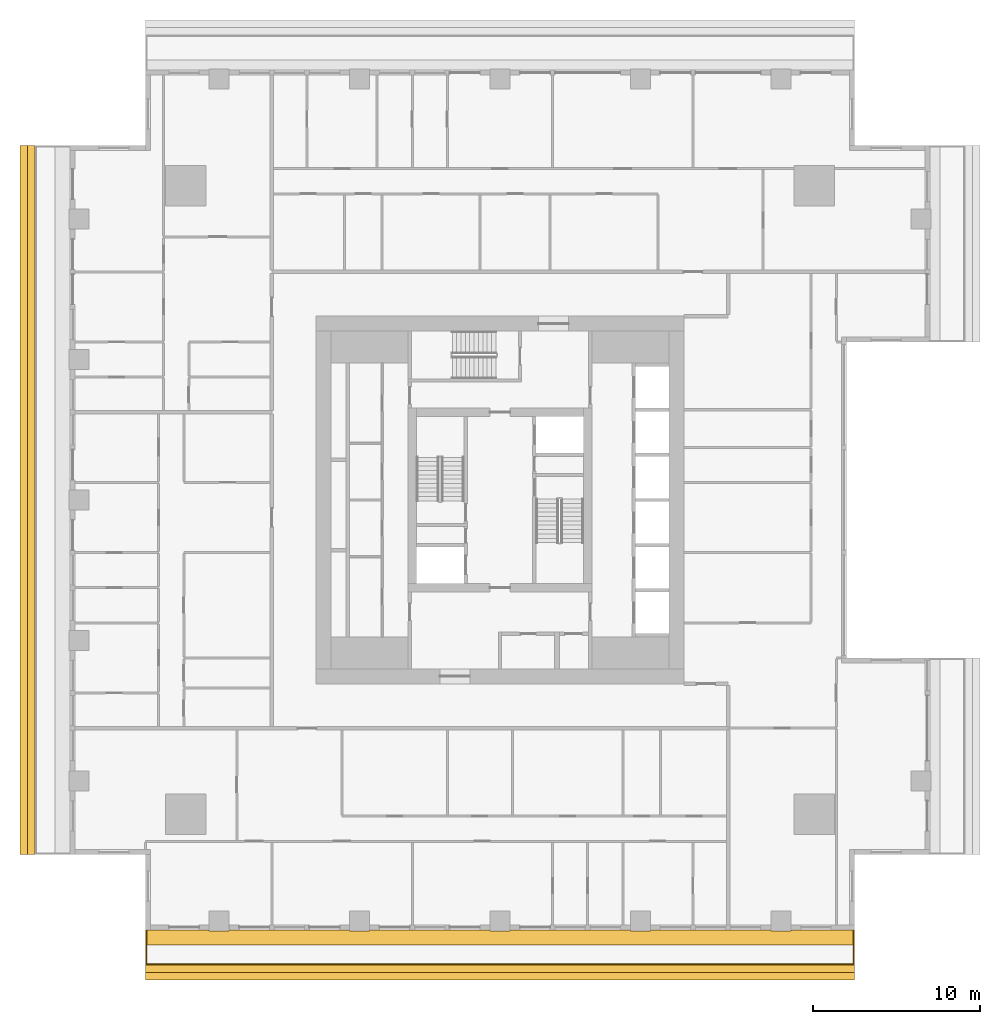
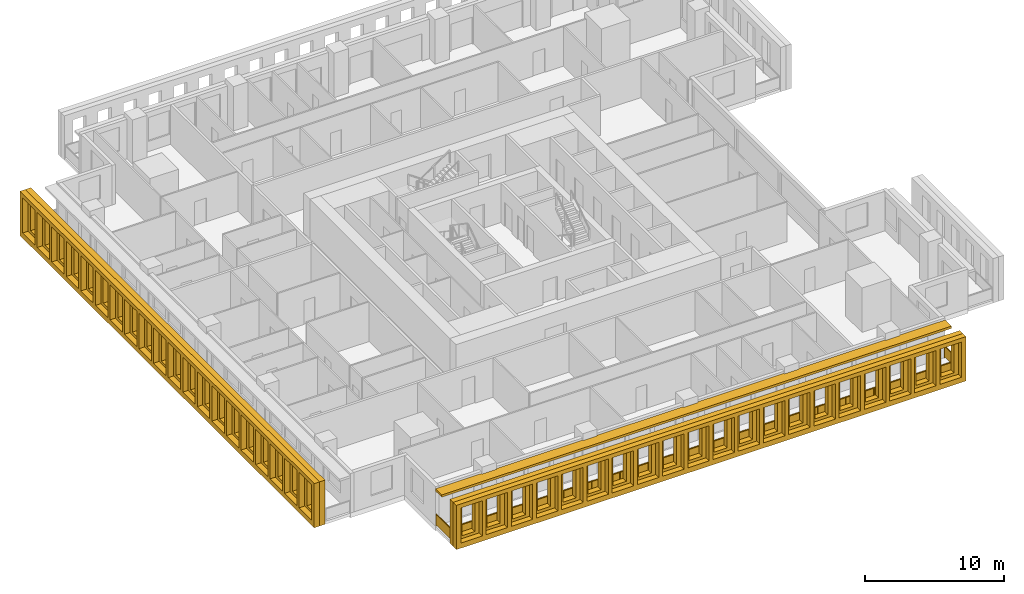
# One storey, part 10 of 15: 5 shading devices, 1 railing.
"""IFC4 building model written with IfcOpenShell, lengths in metres."""

from ifc_helpers import new_model, si_unit, direction, frame, origin, origin_2d, place, context, subcontext, project, spatial, polyline, rectangle, outline, extrude, material, layer, layer_set, type_object, element, save


model = new_model("IFC4")

# Units and contexts
model_context = context("Model", 3, precision=1e-05, world=origin(), true_north=direction((0.0, 1.0)))
body_context = subcontext(model_context, "Body", "Model", "MODEL_VIEW")
ifc_project = project(units=[si_unit("LENGTHUNIT", "METRE"), si_unit("AREAUNIT", "SQUARE_METRE"), si_unit("VOLUMEUNIT", "CUBIC_METRE"), si_unit("PLANEANGLEUNIT", "RADIAN"), si_unit("MASSUNIT", "GRAM", prefix="KILO")], contexts=[model_context])

# Site, building, storey
site_placement = place(None, origin())
site = spatial("IfcSite", under=ifc_project, at=site_placement, CompositionType="ELEMENT")
building_placement = place(site_placement, origin())
building = spatial("IfcBuilding", under=site, at=building_placement, Name="Khepri Terraces", CompositionType="ELEMENT")
storey_placement = place(building_placement, frame((0.0, 0.0, 215.699951171875)))
storey = spatial("IfcBuildingStorey", under=building, at=storey_placement, Name="L51", CompositionType="ELEMENT", Elevation=215.699951171875)

# Railing
ifc_material_1 = material(Name="Stainless steel grade 316", Category="steel")
railing_type = type_object("IfcRailingType", Name="GRD-BAL-1100", PredefinedType="GUARDRAIL", material=ifc_material_1)
railing_placement = place(storey_placement, frame((-21.169921875, -25.719970703125, 0.0)))
element("IfcRailing", 1, at=railing_placement, inside=storey, type_object=railing_type, Name="Balcony guard L51 S", PredefinedType="GUARDRAIL", context=body_context, shape_type="SweptSolid", body=[
    extrude(rectangle(XDim=0.050048828125, YDim=0.06005859375, at=origin_2d()), frame((0.0, 0.0, 1.070068359375), z_axis=(0.0, -1.0, 0.0), x_axis=(1.0, 0.0, 0.0)), (0.0, 0.0, 1.0), 2.050048828125),
    extrude(rectangle(XDim=2.0, YDim=0.011962890625, at=origin_2d()), frame((0.0, -1.02490234375, 0.10009765625), z_axis=(0.0, 0.0, 1.0), x_axis=(0.0, -1.0, 0.0)), (0.0, 0.0, 1.0), 0.93994140625),
    extrude(rectangle(XDim=0.050048828125, YDim=0.06005859375, at=origin_2d()), frame((0.0, -2.050048828125, 1.070068359375), z_axis=(1.0, 0.0, 0.0), x_axis=(0.0, 1.0, 0.0)), (0.0, 0.0, 1.0), 42.33984375),
    extrude(rectangle(XDim=2.30224609375, YDim=0.011962890625, at=origin_2d()), frame((1.176025390625, -2.050048828125, 0.10009765625), z_axis=(0.0, 0.0, 1.0), x_axis=(1.0, 0.0, 0.0)), (0.0, 0.0, 1.0), 0.93994140625),
    extrude(rectangle(XDim=2.30224609375, YDim=0.011962890625, at=origin_2d()), frame((3.5283203125, -2.050048828125, 0.10009765625), z_axis=(0.0, 0.0, 1.0), x_axis=(1.0, 0.0, 0.0)), (0.0, 0.0, 1.0), 0.93994140625),
    extrude(rectangle(XDim=2.30224609375, YDim=0.011962890625, at=origin_2d()), frame((5.880615234375, -2.050048828125, 0.10009765625), z_axis=(0.0, 0.0, 1.0), x_axis=(1.0, 0.0, 0.0)), (0.0, 0.0, 1.0), 0.93994140625),
    extrude(rectangle(XDim=2.30224609375, YDim=0.011962890625, at=origin_2d()), frame((8.232666015625, -2.050048828125, 0.10009765625), z_axis=(0.0, 0.0, 1.0), x_axis=(1.0, 0.0, 0.0)), (0.0, 0.0, 1.0), 0.93994140625),
    extrude(rectangle(XDim=2.30224609375, YDim=0.011962890625, at=origin_2d()), frame((10.5849609375, -2.050048828125, 0.10009765625), z_axis=(0.0, 0.0, 1.0), x_axis=(1.0, 0.0, 0.0)), (0.0, 0.0, 1.0), 0.93994140625),
    extrude(rectangle(XDim=2.30224609375, YDim=0.011962890625, at=origin_2d()), frame((12.937255859375, -2.050048828125, 0.10009765625), z_axis=(0.0, 0.0, 1.0), x_axis=(1.0, 0.0, 0.0)), (0.0, 0.0, 1.0), 0.93994140625),
    extrude(rectangle(XDim=2.30224609375, YDim=0.011962890625, at=origin_2d()), frame((15.289306640625, -2.050048828125, 0.10009765625), z_axis=(0.0, 0.0, 1.0), x_axis=(1.0, 0.0, 0.0)), (0.0, 0.0, 1.0), 0.93994140625),
    extrude(rectangle(XDim=2.30224609375, YDim=0.011962890625, at=origin_2d()), frame((17.6416015625, -2.050048828125, 0.10009765625), z_axis=(0.0, 0.0, 1.0), x_axis=(1.0, 0.0, 0.0)), (0.0, 0.0, 1.0), 0.93994140625),
    extrude(rectangle(XDim=2.30224609375, YDim=0.011962890625, at=origin_2d()), frame((19.993896484375, -2.050048828125, 0.10009765625), z_axis=(0.0, 0.0, 1.0), x_axis=(1.0, 0.0, 0.0)), (0.0, 0.0, 1.0), 0.93994140625),
    extrude(rectangle(XDim=2.30224609375, YDim=0.011962890625, at=origin_2d()), frame((22.345947265625, -2.050048828125, 0.10009765625), z_axis=(0.0, 0.0, 1.0), x_axis=(1.0, 0.0, 0.0)), (0.0, 0.0, 1.0), 0.93994140625),
    extrude(rectangle(XDim=2.30224609375, YDim=0.011962890625, at=origin_2d()), frame((24.6982421875, -2.050048828125, 0.10009765625), z_axis=(0.0, 0.0, 1.0), x_axis=(1.0, 0.0, 0.0)), (0.0, 0.0, 1.0), 0.93994140625),
    extrude(rectangle(XDim=2.30224609375, YDim=0.011962890625, at=origin_2d()), frame((27.050537109375, -2.050048828125, 0.10009765625), z_axis=(0.0, 0.0, 1.0), x_axis=(1.0, 0.0, 0.0)), (0.0, 0.0, 1.0), 0.93994140625),
    extrude(rectangle(XDim=2.30224609375, YDim=0.011962890625, at=origin_2d()), frame((29.402587890625, -2.050048828125, 0.10009765625), z_axis=(0.0, 0.0, 1.0), x_axis=(1.0, 0.0, 0.0)), (0.0, 0.0, 1.0), 0.93994140625),
    extrude(rectangle(XDim=2.30224609375, YDim=0.011962890625, at=origin_2d()), frame((31.7548828125, -2.050048828125, 0.10009765625), z_axis=(0.0, 0.0, 1.0), x_axis=(1.0, 0.0, 0.0)), (0.0, 0.0, 1.0), 0.93994140625),
    extrude(rectangle(XDim=2.30224609375, YDim=0.011962890625, at=origin_2d()), frame((34.107177734375, -2.050048828125, 0.10009765625), z_axis=(0.0, 0.0, 1.0), x_axis=(1.0, 0.0, 0.0)), (0.0, 0.0, 1.0), 0.93994140625),
    extrude(rectangle(XDim=2.30224609375, YDim=0.011962890625, at=origin_2d()), frame((36.459228515625, -2.050048828125, 0.10009765625), z_axis=(0.0, 0.0, 1.0), x_axis=(1.0, 0.0, 0.0)), (0.0, 0.0, 1.0), 0.93994140625),
    extrude(rectangle(XDim=2.30224609375, YDim=0.011962890625, at=origin_2d()), frame((38.8115234375, -2.050048828125, 0.10009765625), z_axis=(0.0, 0.0, 1.0), x_axis=(1.0, 0.0, 0.0)), (0.0, 0.0, 1.0), 0.93994140625),
    extrude(rectangle(XDim=2.30224609375, YDim=0.011962890625, at=origin_2d()), frame((41.163818359375, -2.050048828125, 0.10009765625), z_axis=(0.0, 0.0, 1.0), x_axis=(1.0, 0.0, 0.0)), (0.0, 0.0, 1.0), 0.93994140625),
    extrude(rectangle(XDim=0.050048828125, YDim=0.06005859375, at=origin_2d()), frame((42.33984375, -2.050048828125, 1.070068359375), z_axis=(0.0, 1.0, 0.0), x_axis=(-1.0, 0.0, 0.0)), (0.0, 0.0, 1.0), 2.050048828125),
    extrude(rectangle(XDim=2.0, YDim=0.011962890625, at=origin_2d()), frame((42.33984375, -1.02490234375, 0.10009765625), z_axis=(0.0, 0.0, 1.0), x_axis=(0.0, 1.0, 0.0)), (0.0, 0.0, 1.0), 0.93994140625),
    extrude(rectangle(XDim=0.050048828125, YDim=0.050048828125, at=origin_2d()), origin(), (0.0, 0.0, 1.0), 1.0400390625),
    extrude(rectangle(XDim=0.050048828125, YDim=0.050048828125, at=origin_2d()), frame((0.0, -2.050048828125, 0.0)), (0.0, 0.0, 1.0), 1.0400390625),
    extrude(rectangle(XDim=0.050048828125, YDim=0.050048828125, at=origin_2d()), frame((2.352294921875, -2.050048828125, 0.0)), (0.0, 0.0, 1.0), 1.0400390625),
    extrude(rectangle(XDim=0.050048828125, YDim=0.050048828125, at=origin_2d()), frame((4.704345703125, -2.050048828125, 0.0)), (0.0, 0.0, 1.0), 1.0400390625),
    extrude(rectangle(XDim=0.050048828125, YDim=0.050048828125, at=origin_2d()), frame((7.056640625, -2.050048828125, 0.0)), (0.0, 0.0, 1.0), 1.0400390625),
    extrude(rectangle(XDim=0.050048828125, YDim=0.050048828125, at=origin_2d()), frame((9.408935546875, -2.050048828125, 0.0)), (0.0, 0.0, 1.0), 1.0400390625),
    extrude(rectangle(XDim=0.050048828125, YDim=0.050048828125, at=origin_2d()), frame((11.760986328125, -2.050048828125, 0.0)), (0.0, 0.0, 1.0), 1.0400390625),
    extrude(rectangle(XDim=0.050048828125, YDim=0.050048828125, at=origin_2d()), frame((14.11328125, -2.050048828125, 0.0)), (0.0, 0.0, 1.0), 1.0400390625),
    extrude(rectangle(XDim=0.050048828125, YDim=0.050048828125, at=origin_2d()), frame((16.465576171875, -2.050048828125, 0.0)), (0.0, 0.0, 1.0), 1.0400390625),
    extrude(rectangle(XDim=0.050048828125, YDim=0.050048828125, at=origin_2d()), frame((18.817626953125, -2.050048828125, 0.0)), (0.0, 0.0, 1.0), 1.0400390625),
    extrude(rectangle(XDim=0.050048828125, YDim=0.050048828125, at=origin_2d()), frame((21.169921875, -2.050048828125, 0.0)), (0.0, 0.0, 1.0), 1.0400390625),
    extrude(rectangle(XDim=0.050048828125, YDim=0.050048828125, at=origin_2d()), frame((23.522216796875, -2.050048828125, 0.0)), (0.0, 0.0, 1.0), 1.0400390625),
    extrude(rectangle(XDim=0.050048828125, YDim=0.050048828125, at=origin_2d()), frame((25.874267578125, -2.050048828125, 0.0)), (0.0, 0.0, 1.0), 1.0400390625),
    extrude(rectangle(XDim=0.050048828125, YDim=0.050048828125, at=origin_2d()), frame((28.2265625, -2.050048828125, 0.0)), (0.0, 0.0, 1.0), 1.0400390625),
    extrude(rectangle(XDim=0.050048828125, YDim=0.050048828125, at=origin_2d()), frame((30.578857421875, -2.050048828125, 0.0)), (0.0, 0.0, 1.0), 1.0400390625),
    extrude(rectangle(XDim=0.050048828125, YDim=0.050048828125, at=origin_2d()), frame((32.930908203125, -2.050048828125, 0.0)), (0.0, 0.0, 1.0), 1.0400390625),
    extrude(rectangle(XDim=0.050048828125, YDim=0.050048828125, at=origin_2d()), frame((35.283203125, -2.050048828125, 0.0)), (0.0, 0.0, 1.0), 1.0400390625),
    extrude(rectangle(XDim=0.050048828125, YDim=0.050048828125, at=origin_2d()), frame((37.635498046875, -2.050048828125, 0.0)), (0.0, 0.0, 1.0), 1.0400390625),
    extrude(rectangle(XDim=0.050048828125, YDim=0.050048828125, at=origin_2d()), frame((39.987548828125, -2.050048828125, 0.0)), (0.0, 0.0, 1.0), 1.0400390625),
    extrude(rectangle(XDim=0.050048828125, YDim=0.050048828125, at=origin_2d()), frame((42.33984375, -2.050048828125, 0.0)), (0.0, 0.0, 1.0), 1.0400390625),
    extrude(rectangle(XDim=0.050048828125, YDim=0.050048828125, at=origin_2d()), frame((42.33984375, 0.0, 0.0)), (0.0, 0.0, 1.0), 1.0400390625),
])

# Shading devices
ifc_material_2 = material(Name="Precast concrete C50/60 warm stone", Category="masonry")
shading_device_type_1 = type_object("IfcShadingDeviceType", Name="SCR-CELL-INNER-450", PredefinedType="USERDEFINED", material=ifc_material_2)
shading_device_1_placement = place(storey_placement, frame((-21.219970703125, -27.820068359375, -0.25), z_axis=(0.0, -1.0, 0.0), x_axis=(1.0, 0.0, 0.0)))
element("IfcShadingDevice", 2, at=shading_device_1_placement, inside=storey, type_object=shading_device_type_1, Name="Cell screen L51 S in", ObjectType="SCREEN", PredefinedType="USERDEFINED", context=body_context, shape_type="SweptSolid", body=[
    extrude(outline(polyline([(0.0, 0.0), (42.43994140625, 0.0), (42.43994140625, 3.89990234375), (0.0, 3.89990234375), (0.0, 0.0)]), holes=[polyline([(0.7265625, 0.699951171875), (1.8134765625, 0.699951171875), (1.8134765625, 3.300048828125), (0.7265625, 3.300048828125), (0.7265625, 0.699951171875)]), polyline([(2.82666015625, 0.699951171875), (3.913330078125, 0.699951171875), (3.913330078125, 3.300048828125), (2.82666015625, 3.300048828125), (2.82666015625, 0.699951171875)]), polyline([(4.926513671875, 0.699951171875), (6.013427734375, 0.699951171875), (6.013427734375, 3.300048828125), (4.926513671875, 3.300048828125), (4.926513671875, 0.699951171875)]), polyline([(7.026611328125, 0.699951171875), (8.11328125, 0.699951171875), (8.11328125, 3.300048828125), (7.026611328125, 3.300048828125), (7.026611328125, 0.699951171875)]), polyline([(9.126708984375, 0.699951171875), (10.21337890625, 0.699951171875), (10.21337890625, 3.300048828125), (9.126708984375, 3.300048828125), (9.126708984375, 0.699951171875)]), polyline([(11.2265625, 0.699951171875), (12.3134765625, 0.699951171875), (12.3134765625, 3.300048828125), (11.2265625, 3.300048828125), (11.2265625, 0.699951171875)]), polyline([(13.32666015625, 0.699951171875), (14.413330078125, 0.699951171875), (14.413330078125, 3.300048828125), (13.32666015625, 3.300048828125), (13.32666015625, 0.699951171875)]), polyline([(15.426513671875, 0.699951171875), (16.513427734375, 0.699951171875), (16.513427734375, 3.300048828125), (15.426513671875, 3.300048828125), (15.426513671875, 0.699951171875)]), polyline([(17.526611328125, 0.699951171875), (18.61328125, 0.699951171875), (18.61328125, 3.300048828125), (17.526611328125, 3.300048828125), (17.526611328125, 0.699951171875)]), polyline([(19.626708984375, 0.699951171875), (20.71337890625, 0.699951171875), (20.71337890625, 3.300048828125), (19.626708984375, 3.300048828125), (19.626708984375, 0.699951171875)]), polyline([(21.7265625, 0.699951171875), (22.8134765625, 0.699951171875), (22.8134765625, 3.300048828125), (21.7265625, 3.300048828125), (21.7265625, 0.699951171875)]), polyline([(23.82666015625, 0.699951171875), (24.913330078125, 0.699951171875), (24.913330078125, 3.300048828125), (23.82666015625, 3.300048828125), (23.82666015625, 0.699951171875)]), polyline([(25.926513671875, 0.699951171875), (27.013427734375, 0.699951171875), (27.013427734375, 3.300048828125), (25.926513671875, 3.300048828125), (25.926513671875, 0.699951171875)]), polyline([(28.026611328125, 0.699951171875), (29.11328125, 0.699951171875), (29.11328125, 3.300048828125), (28.026611328125, 3.300048828125), (28.026611328125, 0.699951171875)]), polyline([(30.126708984375, 0.699951171875), (31.21337890625, 0.699951171875), (31.21337890625, 3.300048828125), (30.126708984375, 3.300048828125), (30.126708984375, 0.699951171875)]), polyline([(32.2265625, 0.699951171875), (33.3134765625, 0.699951171875), (33.3134765625, 3.300048828125), (32.2265625, 3.300048828125), (32.2265625, 0.699951171875)]), polyline([(34.32666015625, 0.699951171875), (35.413330078125, 0.699951171875), (35.413330078125, 3.300048828125), (34.32666015625, 3.300048828125), (34.32666015625, 0.699951171875)]), polyline([(36.426513671875, 0.699951171875), (37.513427734375, 0.699951171875), (37.513427734375, 3.300048828125), (36.426513671875, 3.300048828125), (36.426513671875, 0.699951171875)]), polyline([(38.526611328125, 0.699951171875), (39.61328125, 0.699951171875), (39.61328125, 3.300048828125), (38.526611328125, 3.300048828125), (38.526611328125, 0.699951171875)]), polyline([(40.626708984375, 0.699951171875), (41.71337890625, 0.699951171875), (41.71337890625, 3.300048828125), (40.626708984375, 3.300048828125), (40.626708984375, 0.699951171875)])]), origin(), (0.0, 0.0, 1.0), 0.449951171875),
])
shading_device_2_placement = place(storey_placement, frame((-27.820068359375, 21.219970703125, -0.25), z_axis=(-1.0, 0.0, 0.0), x_axis=(0.0, -1.0, 0.0)))
element("IfcShadingDevice", 3, at=shading_device_2_placement, inside=storey, type_object=shading_device_type_1, Name="Cell screen L51 W in", ObjectType="SCREEN", PredefinedType="USERDEFINED", context=body_context, shape_type="SweptSolid", body=[
    extrude(outline(polyline([(0.0, 0.0), (42.43994140625, 0.0), (42.43994140625, 3.89990234375), (0.0, 3.89990234375), (0.0, 0.0)]), holes=[polyline([(0.7265625, 0.699951171875), (1.8134765625, 0.699951171875), (1.8134765625, 3.300048828125), (0.7265625, 3.300048828125), (0.7265625, 0.699951171875)]), polyline([(2.82666015625, 0.699951171875), (3.913330078125, 0.699951171875), (3.913330078125, 3.300048828125), (2.82666015625, 3.300048828125), (2.82666015625, 0.699951171875)]), polyline([(4.926513671875, 0.699951171875), (6.013427734375, 0.699951171875), (6.013427734375, 3.300048828125), (4.926513671875, 3.300048828125), (4.926513671875, 0.699951171875)]), polyline([(7.026611328125, 0.699951171875), (8.11328125, 0.699951171875), (8.11328125, 3.300048828125), (7.026611328125, 3.300048828125), (7.026611328125, 0.699951171875)]), polyline([(9.126708984375, 0.699951171875), (10.21337890625, 0.699951171875), (10.21337890625, 3.300048828125), (9.126708984375, 3.300048828125), (9.126708984375, 0.699951171875)]), polyline([(11.2265625, 0.699951171875), (12.3134765625, 0.699951171875), (12.3134765625, 3.300048828125), (11.2265625, 3.300048828125), (11.2265625, 0.699951171875)]), polyline([(13.32666015625, 0.699951171875), (14.413330078125, 0.699951171875), (14.413330078125, 3.300048828125), (13.32666015625, 3.300048828125), (13.32666015625, 0.699951171875)]), polyline([(15.426513671875, 0.699951171875), (16.513427734375, 0.699951171875), (16.513427734375, 3.300048828125), (15.426513671875, 3.300048828125), (15.426513671875, 0.699951171875)]), polyline([(17.526611328125, 0.699951171875), (18.61328125, 0.699951171875), (18.61328125, 3.300048828125), (17.526611328125, 3.300048828125), (17.526611328125, 0.699951171875)]), polyline([(19.626708984375, 0.699951171875), (20.71337890625, 0.699951171875), (20.71337890625, 3.300048828125), (19.626708984375, 3.300048828125), (19.626708984375, 0.699951171875)]), polyline([(21.7265625, 0.699951171875), (22.8134765625, 0.699951171875), (22.8134765625, 3.300048828125), (21.7265625, 3.300048828125), (21.7265625, 0.699951171875)]), polyline([(23.82666015625, 0.699951171875), (24.913330078125, 0.699951171875), (24.913330078125, 3.300048828125), (23.82666015625, 3.300048828125), (23.82666015625, 0.699951171875)]), polyline([(25.926513671875, 0.699951171875), (27.013427734375, 0.699951171875), (27.013427734375, 3.300048828125), (25.926513671875, 3.300048828125), (25.926513671875, 0.699951171875)]), polyline([(28.026611328125, 0.699951171875), (29.11328125, 0.699951171875), (29.11328125, 3.300048828125), (28.026611328125, 3.300048828125), (28.026611328125, 0.699951171875)]), polyline([(30.126708984375, 0.699951171875), (31.21337890625, 0.699951171875), (31.21337890625, 3.300048828125), (30.126708984375, 3.300048828125), (30.126708984375, 0.699951171875)]), polyline([(32.2265625, 0.699951171875), (33.3134765625, 0.699951171875), (33.3134765625, 3.300048828125), (32.2265625, 3.300048828125), (32.2265625, 0.699951171875)]), polyline([(34.32666015625, 0.699951171875), (35.413330078125, 0.699951171875), (35.413330078125, 3.300048828125), (34.32666015625, 3.300048828125), (34.32666015625, 0.699951171875)]), polyline([(36.426513671875, 0.699951171875), (37.513427734375, 0.699951171875), (37.513427734375, 3.300048828125), (36.426513671875, 3.300048828125), (36.426513671875, 0.699951171875)]), polyline([(38.526611328125, 0.699951171875), (39.61328125, 0.699951171875), (39.61328125, 3.300048828125), (38.526611328125, 3.300048828125), (38.526611328125, 0.699951171875)]), polyline([(40.626708984375, 0.699951171875), (41.71337890625, 0.699951171875), (41.71337890625, 3.300048828125), (40.626708984375, 3.300048828125), (40.626708984375, 0.699951171875)])]), origin(), (0.0, 0.0, 1.0), 0.449951171875),
])
shading_device_type_2 = type_object("IfcShadingDeviceType", Name="SCR-CELL-OUTER-450", PredefinedType="USERDEFINED", material=ifc_material_2)
shading_device_3_placement = place(storey_placement, frame((-21.219970703125, -28.27001953125, -0.25), z_axis=(0.0, -1.0, 0.0), x_axis=(1.0, 0.0, 0.0)))
element("IfcShadingDevice", 4, at=shading_device_3_placement, inside=storey, type_object=shading_device_type_2, Name="Cell screen L51 S out", ObjectType="SCREEN", PredefinedType="USERDEFINED", context=body_context, shape_type="SweptSolid", body=[
    extrude(outline(polyline([(0.0, 0.0), (42.43994140625, 0.0), (42.43994140625, 3.89990234375), (0.0, 3.89990234375), (0.0, 0.0)]), holes=[polyline([(0.376708984375, 0.449951171875), (2.163330078125, 0.449951171875), (2.163330078125, 3.550048828125), (0.376708984375, 3.550048828125), (0.376708984375, 0.449951171875)]), polyline([(2.4765625, 0.449951171875), (4.263427734375, 0.449951171875), (4.263427734375, 3.550048828125), (2.4765625, 3.550048828125), (2.4765625, 0.449951171875)]), polyline([(4.57666015625, 0.449951171875), (6.36328125, 0.449951171875), (6.36328125, 3.550048828125), (4.57666015625, 3.550048828125), (4.57666015625, 0.449951171875)]), polyline([(6.676513671875, 0.449951171875), (8.46337890625, 0.449951171875), (8.46337890625, 3.550048828125), (6.676513671875, 3.550048828125), (6.676513671875, 0.449951171875)]), polyline([(8.776611328125, 0.449951171875), (10.5634765625, 0.449951171875), (10.5634765625, 3.550048828125), (8.776611328125, 3.550048828125), (8.776611328125, 0.449951171875)]), polyline([(10.876708984375, 0.449951171875), (12.663330078125, 0.449951171875), (12.663330078125, 3.550048828125), (10.876708984375, 3.550048828125), (10.876708984375, 0.449951171875)]), polyline([(12.9765625, 0.449951171875), (14.763427734375, 0.449951171875), (14.763427734375, 3.550048828125), (12.9765625, 3.550048828125), (12.9765625, 0.449951171875)]), polyline([(15.07666015625, 0.449951171875), (16.86328125, 0.449951171875), (16.86328125, 3.550048828125), (15.07666015625, 3.550048828125), (15.07666015625, 0.449951171875)]), polyline([(17.176513671875, 0.449951171875), (18.96337890625, 0.449951171875), (18.96337890625, 3.550048828125), (17.176513671875, 3.550048828125), (17.176513671875, 0.449951171875)]), polyline([(19.276611328125, 0.449951171875), (21.0634765625, 0.449951171875), (21.0634765625, 3.550048828125), (19.276611328125, 3.550048828125), (19.276611328125, 0.449951171875)]), polyline([(21.376708984375, 0.449951171875), (23.163330078125, 0.449951171875), (23.163330078125, 3.550048828125), (21.376708984375, 3.550048828125), (21.376708984375, 0.449951171875)]), polyline([(23.4765625, 0.449951171875), (25.263427734375, 0.449951171875), (25.263427734375, 3.550048828125), (23.4765625, 3.550048828125), (23.4765625, 0.449951171875)]), polyline([(25.57666015625, 0.449951171875), (27.36328125, 0.449951171875), (27.36328125, 3.550048828125), (25.57666015625, 3.550048828125), (25.57666015625, 0.449951171875)]), polyline([(27.676513671875, 0.449951171875), (29.46337890625, 0.449951171875), (29.46337890625, 3.550048828125), (27.676513671875, 3.550048828125), (27.676513671875, 0.449951171875)]), polyline([(29.776611328125, 0.449951171875), (31.5634765625, 0.449951171875), (31.5634765625, 3.550048828125), (29.776611328125, 3.550048828125), (29.776611328125, 0.449951171875)]), polyline([(31.876708984375, 0.449951171875), (33.663330078125, 0.449951171875), (33.663330078125, 3.550048828125), (31.876708984375, 3.550048828125), (31.876708984375, 0.449951171875)]), polyline([(33.9765625, 0.449951171875), (35.763427734375, 0.449951171875), (35.763427734375, 3.550048828125), (33.9765625, 3.550048828125), (33.9765625, 0.449951171875)]), polyline([(36.07666015625, 0.449951171875), (37.86328125, 0.449951171875), (37.86328125, 3.550048828125), (36.07666015625, 3.550048828125), (36.07666015625, 0.449951171875)]), polyline([(38.176513671875, 0.449951171875), (39.96337890625, 0.449951171875), (39.96337890625, 3.550048828125), (38.176513671875, 3.550048828125), (38.176513671875, 0.449951171875)]), polyline([(40.276611328125, 0.449951171875), (42.0634765625, 0.449951171875), (42.0634765625, 3.550048828125), (40.276611328125, 3.550048828125), (40.276611328125, 0.449951171875)])]), origin(), (0.0, 0.0, 1.0), 0.449951171875),
])
shading_device_4_placement = place(storey_placement, frame((-28.27001953125, 21.219970703125, -0.25), z_axis=(-1.0, 0.0, 0.0), x_axis=(0.0, -1.0, 0.0)))
element("IfcShadingDevice", 5, at=shading_device_4_placement, inside=storey, type_object=shading_device_type_2, Name="Cell screen L51 W out", ObjectType="SCREEN", PredefinedType="USERDEFINED", context=body_context, shape_type="SweptSolid", body=[
    extrude(outline(polyline([(0.0, 0.0), (42.43994140625, 0.0), (42.43994140625, 3.89990234375), (0.0, 3.89990234375), (0.0, 0.0)]), holes=[polyline([(0.376708984375, 0.449951171875), (2.163330078125, 0.449951171875), (2.163330078125, 3.550048828125), (0.376708984375, 3.550048828125), (0.376708984375, 0.449951171875)]), polyline([(2.4765625, 0.449951171875), (4.263427734375, 0.449951171875), (4.263427734375, 3.550048828125), (2.4765625, 3.550048828125), (2.4765625, 0.449951171875)]), polyline([(4.57666015625, 0.449951171875), (6.36328125, 0.449951171875), (6.36328125, 3.550048828125), (4.57666015625, 3.550048828125), (4.57666015625, 0.449951171875)]), polyline([(6.676513671875, 0.449951171875), (8.46337890625, 0.449951171875), (8.46337890625, 3.550048828125), (6.676513671875, 3.550048828125), (6.676513671875, 0.449951171875)]), polyline([(8.776611328125, 0.449951171875), (10.5634765625, 0.449951171875), (10.5634765625, 3.550048828125), (8.776611328125, 3.550048828125), (8.776611328125, 0.449951171875)]), polyline([(10.876708984375, 0.449951171875), (12.663330078125, 0.449951171875), (12.663330078125, 3.550048828125), (10.876708984375, 3.550048828125), (10.876708984375, 0.449951171875)]), polyline([(12.9765625, 0.449951171875), (14.763427734375, 0.449951171875), (14.763427734375, 3.550048828125), (12.9765625, 3.550048828125), (12.9765625, 0.449951171875)]), polyline([(15.07666015625, 0.449951171875), (16.86328125, 0.449951171875), (16.86328125, 3.550048828125), (15.07666015625, 3.550048828125), (15.07666015625, 0.449951171875)]), polyline([(17.176513671875, 0.449951171875), (18.96337890625, 0.449951171875), (18.96337890625, 3.550048828125), (17.176513671875, 3.550048828125), (17.176513671875, 0.449951171875)]), polyline([(19.276611328125, 0.449951171875), (21.0634765625, 0.449951171875), (21.0634765625, 3.550048828125), (19.276611328125, 3.550048828125), (19.276611328125, 0.449951171875)]), polyline([(21.376708984375, 0.449951171875), (23.163330078125, 0.449951171875), (23.163330078125, 3.550048828125), (21.376708984375, 3.550048828125), (21.376708984375, 0.449951171875)]), polyline([(23.4765625, 0.449951171875), (25.263427734375, 0.449951171875), (25.263427734375, 3.550048828125), (23.4765625, 3.550048828125), (23.4765625, 0.449951171875)]), polyline([(25.57666015625, 0.449951171875), (27.36328125, 0.449951171875), (27.36328125, 3.550048828125), (25.57666015625, 3.550048828125), (25.57666015625, 0.449951171875)]), polyline([(27.676513671875, 0.449951171875), (29.46337890625, 0.449951171875), (29.46337890625, 3.550048828125), (27.676513671875, 3.550048828125), (27.676513671875, 0.449951171875)]), polyline([(29.776611328125, 0.449951171875), (31.5634765625, 0.449951171875), (31.5634765625, 3.550048828125), (29.776611328125, 3.550048828125), (29.776611328125, 0.449951171875)]), polyline([(31.876708984375, 0.449951171875), (33.663330078125, 0.449951171875), (33.663330078125, 3.550048828125), (31.876708984375, 3.550048828125), (31.876708984375, 0.449951171875)]), polyline([(33.9765625, 0.449951171875), (35.763427734375, 0.449951171875), (35.763427734375, 3.550048828125), (33.9765625, 3.550048828125), (33.9765625, 0.449951171875)]), polyline([(36.07666015625, 0.449951171875), (37.86328125, 0.449951171875), (37.86328125, 3.550048828125), (36.07666015625, 3.550048828125), (36.07666015625, 0.449951171875)]), polyline([(38.176513671875, 0.449951171875), (39.96337890625, 0.449951171875), (39.96337890625, 3.550048828125), (38.176513671875, 3.550048828125), (38.176513671875, 0.449951171875)]), polyline([(40.276611328125, 0.449951171875), (42.0634765625, 0.449951171875), (42.0634765625, 3.550048828125), (40.276611328125, 3.550048828125), (40.276611328125, 0.449951171875)])]), origin(), (0.0, 0.0, 1.0), 0.449951171875),
])
ifc_layer = layer(ifc_material_2, 0.199951171875, Name="Precast concrete C50/60 warm stone", Category="masonry")
ifc_layer_set = layer_set([ifc_layer], Name="Precast concrete C50/60 warm stone")
shading_device_type_3 = type_object("IfcShadingDeviceType", Name="SSH-BAND-STONE-200", PredefinedType="USERDEFINED", material=ifc_layer_set)
shading_device_5_placement = place(storey_placement, frame((0.0, 0.0, 3.10009765625)))
element("IfcShadingDevice", 6, at=shading_device_5_placement, inside=storey, type_object=shading_device_type_3, Name="Sunshade band L51 S", ObjectType="SUNSHADE", PredefinedType="USERDEFINED", context=body_context, shape_type="SweptSolid", body=[
    extrude(outline(polyline([(-17.39990234375, -25.719970703125), (-21.219970703125, -25.719970703125), (-21.219970703125, -26.6201171875), (21.219970703125, -26.6201171875), (21.219970703125, -25.719970703125), (17.39990234375, -25.719970703125), (17.39990234375, -25.800048828125), (16.199951171875, -25.800048828125), (16.199951171875, -25.719970703125), (9.0, -25.719970703125), (9.0, -25.800048828125), (7.800048828125, -25.800048828125), (7.800048828125, -25.719970703125), (0.60009765625, -25.719970703125), (0.60009765625, -25.800048828125), (-0.60009765625, -25.800048828125), (-0.60009765625, -25.719970703125), (-7.800048828125, -25.719970703125), (-7.800048828125, -25.800048828125), (-9.0, -25.800048828125), (-9.0, -25.719970703125), (-16.199951171875, -25.719970703125), (-16.199951171875, -25.800048828125), (-17.39990234375, -25.800048828125), (-17.39990234375, -25.719970703125)])), origin(), (0.0, 0.0, 1.0), 0.199951171875),
])

save(model, "model.ifc")
